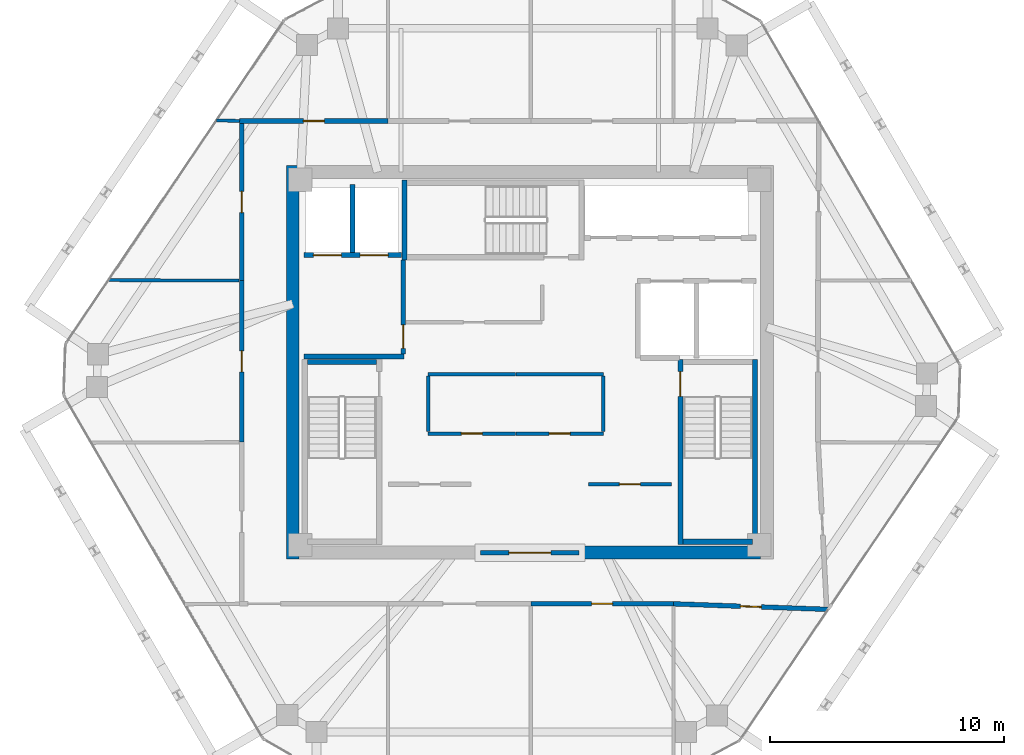
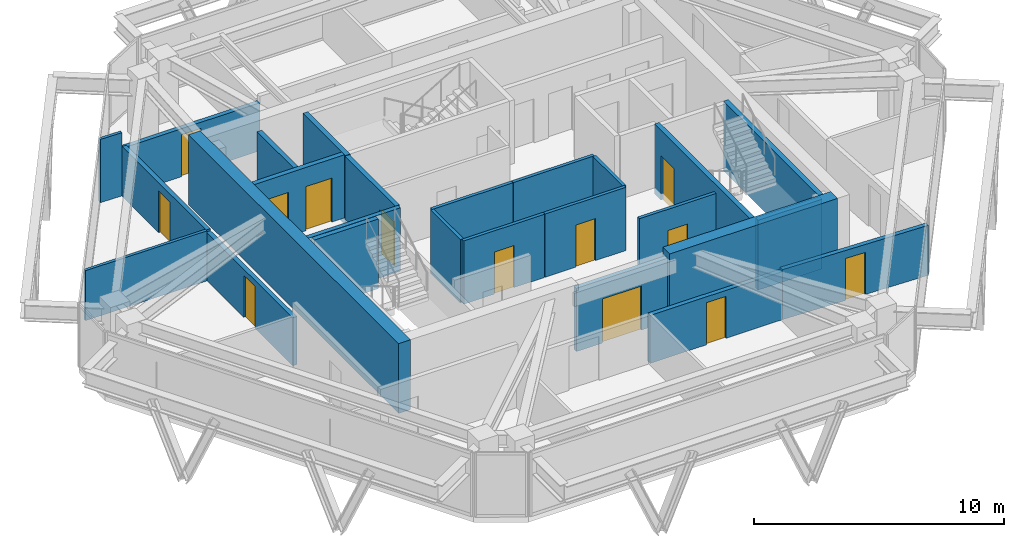
# One storey, part 8 of 11: 26 walls, 13 doors, 13 openings.
"""IFC4 building model written with IfcOpenShell, lengths in metres."""

import ifcopenshell
import ifcopenshell.guid

model = None  # the IFC model being written
_history = None  # IfcOwnerHistory: only IFC2X3 demands one
_inside = {}  # id of a spatial element -> (the spatial element, [elements in it])
_under = {}  # id of a project, library or spatial element -> (it, [spatial elements below it])
_declared = {}  # id of a project -> (the project, [libraries it declares])
_typed = {}  # id of a type object -> (the type object, [elements of that type])
_made_of = {}  # id of a material, layer set ... -> (it, [elements and type objects made of it])


def new_model(schema):
    """Start an empty IFC model of exactly this schema.

    Asked for "IFC4X3", IfcOpenShell would pick the latest addendum, in which some entities
    have other attributes; the version numbers below select the first issue.
    IFC2X3 requires an IfcOwnerHistory on every rooted entity: one is made here for all.
    """
    global model, _history
    if schema == "IFC4X3":
        model = ifcopenshell.file(schema_version=(4, 3, 0, 0))
    else:
        model = ifcopenshell.file(schema=schema)
    _inside.clear()
    _under.clear()
    _declared.clear()
    _typed.clear()
    _made_of.clear()
    _history = None
    if model.schema == "IFC2X3":
        org = make("IfcOrganization", Name="unknown")
        user = make(
            "IfcPersonAndOrganization",
            ThePerson=make("IfcPerson", FamilyName="unknown"),
            TheOrganization=org,
        )
        app = make(
            "IfcApplication",
            ApplicationDeveloper=org,
            Version="unknown",
            ApplicationFullName="unknown",
            ApplicationIdentifier="unknown",
        )
        _history = make(
            "IfcOwnerHistory",
            OwningUser=user,
            OwningApplication=app,
            ChangeAction="ADDED",
            CreationDate=0,
        )
    return model


def make(cls, **values):
    """One entity of the class cls with the attributes given. An attribute that is None is left unset."""
    return model.create_entity(
        cls, **{name: value for name, value in values.items() if value is not None}
    )


def rooted(cls, **values):
    """An entity with a GlobalId (a new one), such as an element, a storey or a relation."""
    return make(cls, GlobalId=ifcopenshell.guid.new(), OwnerHistory=_history, **values)


def si_unit(unit_type, name, prefix=None):
    """IfcSIUnit, for example si_unit("LENGTHUNIT", "METRE", prefix="MILLI")."""
    return make("IfcSIUnit", UnitType=unit_type, Prefix=prefix, Name=name)


def assignment(units):
    """IfcUnitAssignment: the units of a project."""
    return None if units is None else make("IfcUnitAssignment", Units=units)


def point(xyz):
    """IfcCartesianPoint."""
    return None if xyz is None else make("IfcCartesianPoint", Coordinates=xyz)


def direction(xyz):
    """IfcDirection."""
    return None if xyz is None else make("IfcDirection", DirectionRatios=xyz)


def frame(location, z_axis=None, x_axis=None):
    """IfcAxis2Placement3D, a coordinate frame: its origin and axes. An axis left out is left unset."""
    return make(
        "IfcAxis2Placement3D",
        Location=point(location),
        Axis=direction(z_axis),
        RefDirection=direction(x_axis),
    )


def frame_2d(location, x_axis=None):
    """IfcAxis2Placement2D, a coordinate frame in the plane: its origin and x axis."""
    return make(
        "IfcAxis2Placement2D", Location=point(location), RefDirection=direction(x_axis)
    )


def origin():
    """The frame at (0, 0, 0) with its axes left unset."""
    return frame((0.0, 0.0, 0.0))


def place(relative_to, where):
    """IfcLocalPlacement: puts the frame where relative to a parent placement (None: the world)."""
    return make(
        "IfcLocalPlacement", PlacementRelTo=relative_to, RelativePlacement=where
    )


def context(
    kind, dimensions, precision=None, world=None, true_north=None, identifier=None
):
    """IfcGeometricRepresentationContext, for example the 3D "Model" context."""
    return make(
        "IfcGeometricRepresentationContext",
        ContextIdentifier=identifier,
        ContextType=kind,
        CoordinateSpaceDimension=dimensions,
        Precision=precision,
        WorldCoordinateSystem=world,
        TrueNorth=true_north,
    )


def subcontext(parent, identifier, kind, view, scale=None):
    """IfcGeometricRepresentationSubContext, for example "Body" below "Model"."""
    return make(
        "IfcGeometricRepresentationSubContext",
        ContextIdentifier=identifier,
        ContextType=kind,
        ParentContext=parent,
        TargetScale=scale,
        TargetView=view,
    )


def project(units=None, contexts=None):
    """IfcProject with its units and contexts."""
    return rooted(
        "IfcProject",
        Name="project",
        RepresentationContexts=contexts,
        UnitsInContext=assignment(units),
    )


def spatial(cls, under=None, at=None, **own):
    """A site, building, storey or space (cls), placed at a placement, below another one or the project."""
    s = rooted(cls, ObjectPlacement=at, **own)
    if under is not None:
        _under.setdefault(under.id(), (under, []))[1].append(s)
    return s


def profile(cls, at=None, kind="AREA", **sizes):
    """A parametric profile (cls). Its sizes go by their IFC names, for example OverallWidth=200.0."""
    return make(cls, ProfileType=kind, Position=at, **sizes)


def rectangle(**sizes):
    """IfcRectangleProfileDef."""
    return profile("IfcRectangleProfileDef", **sizes)


def extrude(swept, where, along, depth):
    """IfcExtrudedAreaSolid: the profile swept, set in the frame where, extruded along a direction by depth."""
    return make(
        "IfcExtrudedAreaSolid",
        SweptArea=swept,
        Position=where,
        ExtrudedDirection=direction(along),
        Depth=depth,
    )


def shape(context_of_items, identifier, shape_type, items):
    """IfcShapeRepresentation: the items that make up one representation, for example the "Body"."""
    return make(
        "IfcShapeRepresentation",
        ContextOfItems=context_of_items,
        RepresentationIdentifier=identifier,
        RepresentationType=shape_type,
        Items=items,
    )


def source(mapping_origin, context_of_items, identifier, shape_type, items):
    """IfcRepresentationMap: a shape defined once, which mapped items show again and again."""
    return make(
        "IfcRepresentationMap",
        MappingOrigin=mapping_origin,
        MappedRepresentation=shape(context_of_items, identifier, shape_type, items),
    )


def transform(
    local_origin,
    x_axis=None,
    y_axis=None,
    z_axis=None,
    scale=None,
    scale2=None,
    scale3=None,
    uniform=True,
):
    """IfcCartesianTransformationOperator3D, or its non-uniform kind. x_axis, y_axis, z_axis: its Axis1, 2, 3."""
    if uniform:
        return make(
            "IfcCartesianTransformationOperator3D",
            Axis1=direction(x_axis),
            Axis2=direction(y_axis),
            LocalOrigin=point(local_origin),
            Scale=scale,
            Axis3=direction(z_axis),
        )
    return make(
        "IfcCartesianTransformationOperator3DnonUniform",
        Axis1=direction(x_axis),
        Axis2=direction(y_axis),
        LocalOrigin=point(local_origin),
        Scale=scale,
        Axis3=direction(z_axis),
        Scale2=scale2,
        Scale3=scale3,
    )


def mapped(mapping_source, mapping_target):
    """IfcMappedItem: shows the shape of a source again, moved by a transform."""
    return make(
        "IfcMappedItem", MappingSource=mapping_source, MappingTarget=mapping_target
    )


def material(Name=None, Category=None):
    """IfcMaterial."""
    return make("IfcMaterial", Name=Name, Category=Category)


def layer(
    of_material, thickness, ventilated=None, Name=None, Category=None, Priority=None
):
    """IfcMaterialLayer: one layer of a wall or slab, of a material (None: an air gap)."""
    return make(
        "IfcMaterialLayer",
        Material=of_material,
        LayerThickness=thickness,
        IsVentilated=ventilated,
        Name=Name,
        Category=Category,
        Priority=Priority,
    )


def layer_set(layers, Name=None):
    """IfcMaterialLayerSet."""
    return make("IfcMaterialLayerSet", MaterialLayers=layers, LayerSetName=Name)


def made_of(thing, what):
    """Note that an element or type object is made of a material, layer set ...; save() writes the relation."""
    if what is not None:
        _made_of.setdefault(what.id(), (what, []))[1].append(thing)
    return thing


def type_object(cls, material=None, **own):
    """A type object (cls), such as IfcWallType, which elements share."""
    return made_of(rooted(cls, **own), material)


def type_shapes(of_type, sources):
    """Give a type object the sources (RepresentationMaps) that its elements show as mapped items."""
    of_type.RepresentationMaps = sources


def element(
    cls,
    number,
    at=None,
    inside=None,
    cuts=None,
    type_object=None,
    material=None,
    context=None,
    identifier="Body",
    shape_type=None,
    held_by="IfcProductDefinitionShape",
    body=None,
    shapes=None,
    **own,
):
    """One element of the class cls, such as IfcWall. Its Tag is "e" and its number.

    at: its placement. inside: the storey or other place that contains it. cuts: it is an
    opening in that element (IfcRelVoidsElement). A single representation is given by context,
    identifier, shape_type and body (its items); several are given by shapes. held_by: the class
    of the entity that holds the representations. save() writes the other relations.
    """
    e = rooted(cls, Tag="e%d" % number, ObjectPlacement=at, **own)
    if body is not None:
        shapes = [shape(context, identifier, shape_type, body)]
    if shapes is not None:
        e.Representation = make(held_by, Representations=shapes)
    if inside is not None:
        _inside.setdefault(inside.id(), (inside, []))[1].append(e)
    if cuts is not None:
        rooted(
            "IfcRelVoidsElement", RelatingBuildingElement=cuts, RelatedOpeningElement=e
        )
    if type_object is not None:
        _typed.setdefault(type_object.id(), (type_object, []))[1].append(e)
    return made_of(e, material)


def fill(opening, filler):
    """IfcRelFillsElement: the door or window that sits in an opening."""
    return rooted(
        "IfcRelFillsElement",
        RelatingOpeningElement=opening,
        RelatedBuildingElement=filler,
    )


def aggregate(whole, parts):
    """IfcRelAggregates: a whole, such as a stair, and the parts it consists of."""
    return rooted("IfcRelAggregates", RelatingObject=whole, RelatedObjects=parts)


def save(model, path):
    """Write the relations noted so far, then the file.

    IfcRelAggregates (storeys below a building ...), IfcRelContainedInSpatialStructure (elements
    in a storey), IfcRelDefinesByType, IfcRelAssociatesMaterial and IfcRelDeclares: one each for
    every whole, place, type object, material and project.
    """
    for whole, parts in _under.values():
        aggregate(whole, parts)
    for where, things in _inside.values():
        rooted(
            "IfcRelContainedInSpatialStructure",
            RelatedElements=things,
            RelatingStructure=where,
        )
    for kind, things in _typed.values():
        rooted("IfcRelDefinesByType", RelatedObjects=things, RelatingType=kind)
    for what, things in _made_of.values():
        rooted("IfcRelAssociatesMaterial", RelatedObjects=things, RelatingMaterial=what)
    for by, libraries in _declared.values():
        rooted("IfcRelDeclares", RelatingContext=by, RelatedDefinitions=libraries)
    model.write(path)


model = new_model("IFC4")

# Units and contexts
model_context = context("Model", 3, precision=1e-05, world=origin(), true_north=direction((0.0, 1.0)))
body_context = subcontext(model_context, "Body", "Model", "MODEL_VIEW")
ifc_project = project(units=[si_unit("LENGTHUNIT", "METRE"), si_unit("AREAUNIT", "SQUARE_METRE"), si_unit("VOLUMEUNIT", "CUBIC_METRE"), si_unit("PLANEANGLEUNIT", "RADIAN"), si_unit("MASSUNIT", "GRAM", prefix="KILO")], contexts=[model_context])

# Site, building, storey
site_placement = place(None, origin())
site = spatial("IfcSite", under=ifc_project, at=site_placement, CompositionType="ELEMENT")
building_placement = place(site_placement, origin())
building = spatial("IfcBuilding", under=site, at=building_placement, Name="Durnholm Broadcast Tower", CompositionType="ELEMENT")
storey_placement = place(building_placement, frame((0.0, 0.0, 264.89990234375)))
storey = spatial("IfcBuildingStorey", under=building, at=storey_placement, Name="L74", CompositionType="ELEMENT", Elevation=264.89990234375)

# Walls
ifc_material_1 = material(Name="Concrete C70/85", Category="concrete")
ifc_layer_1 = layer(ifc_material_1, 0.550048828125)
ifc_layer_set_1 = layer_set([ifc_layer_1], Name="Concrete C70/85")
wall_type_1 = type_object("IfcWallType", Name="WALL-CW-550", PredefinedType="SHEAR", material=ifc_layer_set_1)
wall_1_placement = place(storey_placement, frame((-10.125, -8.39990234375, 0.0), z_axis=(0.0, 0.0, 1.0), x_axis=(0.0, 1.0, 0.0)))
element("IfcWall", 1, at=wall_1_placement, inside=storey, type_object=wall_type_1, Name="L74 central core shear wall CW-WEST", PredefinedType="SHEAR", context=body_context, shape_type="SweptSolid", body=[
    extrude(rectangle(XDim=16.7998046875, YDim=0.550048828125, at=frame_2d((8.39990234375, 0.0))), origin(), (0.0, 0.0, 1.0), 3.400146484375),
])
wall_2_placement = place(storey_placement, frame((2.10009765625, -8.125, 0.0), z_axis=(0.0, 0.0, 1.0), x_axis=(1.0, 0.0, 0.0)))
element("IfcWall", 2, at=wall_2_placement, inside=storey, type_object=wall_type_1, Name="L74 central core shear wall CW-S2", PredefinedType="SHEAR", context=body_context, shape_type="SweptSolid", body=[
    extrude(rectangle(XDim=7.75, YDim=0.550048828125, at=frame_2d((3.875, 0.0))), origin(), (0.0, 0.0, 1.0), 3.400146484375),
])

# Wall, opening, door
ifc_material_2 = material(Name="Fire-Rated Gypsum Shaftwall", Category="concrete")
ifc_layer_2 = layer(ifc_material_2, 0.199951171875)
ifc_layer_set_2 = layer_set([ifc_layer_2], Name="Fire-Rated Gypsum Shaftwall")
wall_type_2 = type_object("IfcWallType", Name="WALL-LOB-200", PredefinedType="SOLIDWALL", material=ifc_layer_set_2)
wall_3_placement = place(storey_placement, frame((-2.10009765625, -8.125, 0.0), z_axis=(0.0, 0.0, 1.0), x_axis=(1.0, 0.0, 0.0)))
wall_3 = element("IfcWall", 3, at=wall_3_placement, inside=storey, type_object=wall_type_2, Name="L74 south core lobby fire screen", PredefinedType="SOLIDWALL", context=body_context, shape_type="SweptSolid", body=[
    extrude(rectangle(XDim=4.2001953125, YDim=0.199951171875, at=frame_2d((2.10009765625, 0.0))), origin(), (0.0, 0.0, 1.0), 3.085205078125),
])
opening_1_placement = place(wall_3_placement, frame((1.199951171875, 0.0, 0.0)))
opening_1 = element("IfcOpeningElement", 4, at=opening_1_placement, cuts=wall_3, Name="Opening DP-60", PredefinedType="OPENING", context=body_context, shape_type="SweptSolid", body=[
    extrude(rectangle(XDim=1.800048828125, YDim=2.14990234375, at=frame_2d((0.89990234375, 1.074951171875))), frame((0.0, 0.10986328125, 0.0), z_axis=(0.0, -1.0, 0.0), x_axis=(1.0, 0.0, 0.0)), (0.0, 0.0, 1.0), 0.219970703125),
])
ifc_material_3 = material(Name="Fire-Rated Double Corridor Door", Category="steel")
ifc_layer_3 = layer(ifc_material_3, 0.050048828125)
ifc_layer_set_3 = layer_set([ifc_layer_3], Name="Fire-Rated Double Corridor Door")
door_type_1 = type_object("IfcDoorType", Name="DOOR-PAIR-FD60", OperationType="DOUBLE_DOOR_SINGLE_SWING", PredefinedType="DOOR", material=ifc_layer_set_3)
shared_shape_1 = source(origin(), body_context, "Body", "SweptSolid", [
    extrude(rectangle(XDim=1.800048828125, YDim=2.14990234375, at=frame_2d((0.89990234375, 1.074951171875))), frame((0.0, 0.02490234375, 0.0), z_axis=(0.0, -1.0, 0.0), x_axis=(1.0, 0.0, 0.0)), (0.0, 0.0, 1.0), 0.050048828125),
])
type_shapes(door_type_1, [shared_shape_1])
door_1_placement = place(opening_1_placement, origin())
door_1 = element("IfcDoor", 5, at=door_1_placement, inside=storey, type_object=door_type_1, Name="L74 south core lobby double fire door", OperationType="DOUBLE_DOOR_SINGLE_SWING", OverallHeight=2.14990234375, OverallWidth=1.800048828125, PredefinedType="DOOR", context=body_context, shape_type="MappedRepresentation", body=[
    mapped(shared_shape_1, transform((0.0, 0.0, 0.0), x_axis=(1.0, 0.0, 0.0), y_axis=(0.0, 1.0, 0.0), z_axis=(0.0, 0.0, 1.0), scale=1.0)),
])
fill(opening_1, door_1)

# Wall
wall_4_placement = place(storey_placement, frame((-9.64990234375, 0.25, 0.0), z_axis=(0.0, 0.0, 1.0), x_axis=(1.0, 0.0, 0.0)))
element("IfcWall", 6, at=wall_4_placement, inside=storey, type_object=wall_type_2, Name="L74 Fire Service Access Elevator lobby south wall", PredefinedType="SOLIDWALL", context=body_context, shape_type="SweptSolid", body=[
    extrude(rectangle(XDim=4.27001953125, YDim=0.199951171875, at=frame_2d((2.135009765625, 0.0))), origin(), (0.0, 0.0, 1.0), 3.085205078125),
])

# Wall, opening, door
wall_5_placement = place(storey_placement, frame((-5.39990234375, 0.35400390625, 0.0), z_axis=(0.0, 0.0, 1.0), x_axis=(0.0, 1.0, 0.0)))
wall_5 = element("IfcWall", 7, at=wall_5_placement, inside=storey, type_object=wall_type_2, Name="L74 Fire Service Access Elevator lobby east fire wall", PredefinedType="SOLIDWALL", context=body_context, shape_type="SweptSolid", body=[
    extrude(rectangle(XDim=4.02587890625, YDim=0.199951171875, at=frame_2d((2.012939453125, 0.0))), origin(), (0.0, 0.0, 1.0), 3.085205078125),
])
opening_2_placement = place(wall_5_placement, frame((0.24609375, 0.0, 0.0)))
opening_2 = element("IfcOpeningElement", 8, at=opening_2_placement, cuts=wall_5, Name="Opening DL-60L", PredefinedType="OPENING", context=body_context, shape_type="SweptSolid", body=[
    extrude(rectangle(XDim=1.0, YDim=2.14990234375, at=frame_2d((0.5, 1.074951171875))), frame((0.0, 0.10986328125, 0.0), z_axis=(0.0, -1.0, 0.0), x_axis=(1.0, 0.0, 0.0)), (0.0, 0.0, 1.0), 0.219970703125),
])
ifc_material_4 = material(Name="Fire-Rated Timber/Steel Door", Category="steel")
ifc_layer_4 = layer(ifc_material_4, 0.050048828125)
ifc_layer_set_4 = layer_set([ifc_layer_4], Name="Fire-Rated Timber/Steel Door")
door_type_2 = type_object("IfcDoorType", Name="DOOR-LOB-FD60-L", OperationType="NOTDEFINED", PredefinedType="DOOR", material=ifc_layer_set_4)
shared_shape_2 = source(origin(), body_context, "Body", "SweptSolid", [
    extrude(rectangle(XDim=1.0, YDim=2.14990234375, at=frame_2d((0.5, 1.074951171875))), frame((0.0, 0.02490234375, 0.0), z_axis=(0.0, -1.0, 0.0), x_axis=(1.0, 0.0, 0.0)), (0.0, 0.0, 1.0), 0.050048828125),
])
type_shapes(door_type_2, [shared_shape_2])
door_2_placement = place(opening_2_placement, origin())
door_2 = element("IfcDoor", 9, at=door_2_placement, inside=storey, type_object=door_type_2, Name="L74 Fire Service Access Elevator lobby smoke door", OperationType="SINGLE_SWING_LEFT", OverallHeight=2.14990234375, OverallWidth=1.0, PredefinedType="DOOR", context=body_context, shape_type="MappedRepresentation", body=[
    mapped(shared_shape_2, transform((0.0, 0.0, 0.0), x_axis=(1.0, 0.0, 0.0), y_axis=(0.0, 1.0, 0.0), z_axis=(0.0, 0.0, 1.0), scale=1.0)),
])
fill(opening_2, door_2)

wall_6_placement = place(storey_placement, frame((-6.06005859375, 10.31005859375, 0.0), z_axis=(0.0, 0.0, 1.0), x_axis=(-1.0, 0.0, 0.0)))
wall_6 = element("IfcWall", 10, at=wall_6_placement, inside=storey, type_object=wall_type_2, Name="L74 Mechanical Plant Room - Chilled Water Heat Exchanger corridor partition", PredefinedType="SOLIDWALL", context=body_context, shape_type="SweptSolid", body=[
    extrude(rectangle(XDim=6.329833984375, YDim=0.199951171875, at=frame_2d((3.1650390625, 0.0))), origin(), (0.0, 0.0, 1.0), 2.341552734375),
])
opening_3_placement = place(wall_6_placement, frame((2.715087890625, 0.0, 0.0)))
opening_3 = element("IfcOpeningElement", 11, at=opening_3_placement, cuts=wall_6, Name="Opening DC-60L", PredefinedType="OPENING", context=body_context, shape_type="SweptSolid", body=[
    extrude(rectangle(XDim=0.89990234375, YDim=2.050048828125, at=frame_2d((0.449951171875, 1.02490234375))), frame((0.0, 0.10986328125, 0.0), z_axis=(0.0, -1.0, 0.0), x_axis=(1.0, 0.0, 0.0)), (0.0, 0.0, 1.0), 0.219970703125),
])
ifc_material_5 = material(Name="Fire-Rated Core Service Door", Category="steel")
ifc_layer_5 = layer(ifc_material_5, 0.050048828125)
ifc_layer_set_5 = layer_set([ifc_layer_5], Name="Fire-Rated Core Service Door")
door_type_3 = type_object("IfcDoorType", Name="DOOR-CORE-FD60-L", OperationType="NOTDEFINED", PredefinedType="DOOR", material=ifc_layer_set_5)
shared_shape_3 = source(origin(), body_context, "Body", "SweptSolid", [
    extrude(rectangle(XDim=0.89990234375, YDim=2.050048828125, at=frame_2d((0.449951171875, 1.02490234375))), frame((0.0, 0.02490234375, 0.0), z_axis=(0.0, -1.0, 0.0), x_axis=(1.0, 0.0, 0.0)), (0.0, 0.0, 1.0), 0.050048828125),
])
type_shapes(door_type_3, [shared_shape_3])
door_3_placement = place(opening_3_placement, origin())
door_3 = element("IfcDoor", 12, at=door_3_placement, inside=storey, type_object=door_type_3, Name="L74 Mechanical Plant Room - Chilled Water Heat Exchanger entrance door", OperationType="SINGLE_SWING_LEFT", OverallHeight=2.050048828125, OverallWidth=0.89990234375, PredefinedType="DOOR", context=body_context, shape_type="MappedRepresentation", body=[
    mapped(shared_shape_3, transform((0.0, 0.0, 0.0), x_axis=(1.0, 0.0, 0.0), y_axis=(0.0, 1.0, 0.0), z_axis=(0.0, 0.0, 1.0), scale=1.0)),
])
fill(opening_3, door_3)

wall_7_placement = place(storey_placement, frame((0.0400390625, -10.31005859375, 0.0), z_axis=(0.0, 0.0, 1.0), x_axis=(1.0, 0.0, 0.0)))
wall_7 = element("IfcWall", 13, at=wall_7_placement, inside=storey, type_object=wall_type_2, Name="L74 Mechanical Plant Room - Domestic Water Booster Tank corridor partition", PredefinedType="SOLIDWALL", context=body_context, shape_type="SweptSolid", body=[
    extrude(rectangle(XDim=6.099853515625, YDim=0.199951171875, at=frame_2d((3.0498046875, 0.0))), origin(), (0.0, 0.0, 1.0), 2.341552734375),
])
opening_4_placement = place(wall_7_placement, frame((2.60009765625, 0.0, 0.0)))
opening_4 = element("IfcOpeningElement", 14, at=opening_4_placement, cuts=wall_7, Name="Opening DC-60L", PredefinedType="OPENING", context=body_context, shape_type="SweptSolid", body=[
    extrude(rectangle(XDim=0.89990234375, YDim=2.050048828125, at=frame_2d((0.449951171875, 1.02490234375))), frame((0.0, 0.10986328125, 0.0), z_axis=(0.0, -1.0, 0.0), x_axis=(1.0, 0.0, 0.0)), (0.0, 0.0, 1.0), 0.219970703125),
])
door_4_placement = place(opening_4_placement, origin())
door_4 = element("IfcDoor", 15, at=door_4_placement, inside=storey, type_object=door_type_3, Name="L74 Mechanical Plant Room - Domestic Water Booster Tank entrance door", OperationType="SINGLE_SWING_LEFT", OverallHeight=2.050048828125, OverallWidth=0.89990234375, PredefinedType="DOOR", context=body_context, shape_type="MappedRepresentation", body=[
    mapped(shared_shape_3, transform((0.0, 0.0, 0.0), x_axis=(1.0, 0.0, 0.0), y_axis=(0.0, 1.0, 0.0), z_axis=(0.0, 0.0, 1.0), scale=1.0)),
])
fill(opening_4, door_4)

wall_8_placement = place(storey_placement, frame((6.139892578125, -10.31298828125, 0.0), z_axis=(0.0, 0.0, 1.0), x_axis=(0.999359083983, -0.035796944861, 0.0)))
wall_8 = element("IfcWall", 16, at=wall_8_placement, inside=storey, type_object=wall_type_2, Name="L74 Mechanical Plant Room - Fire Protection Pump Plant corridor partition", PredefinedType="SOLIDWALL", context=body_context, shape_type="SweptSolid", body=[
    extrude(rectangle(XDim=6.608642578125, YDim=0.199951171875, at=frame_2d((3.30419921875, 0.0))), origin(), (0.0, 0.0, 1.0), 2.43896484375),
])
opening_5_placement = place(wall_8_placement, frame((2.854248046875, 0.0, 0.0)))
opening_5 = element("IfcOpeningElement", 17, at=opening_5_placement, cuts=wall_8, Name="Opening DC-60R", PredefinedType="OPENING", context=body_context, shape_type="SweptSolid", body=[
    extrude(rectangle(XDim=0.89990234375, YDim=2.050048828125, at=frame_2d((0.449951171875, 1.02490234375))), frame((0.0, 0.10986328125, 0.0), z_axis=(0.0, -1.0, 0.0), x_axis=(1.0, 0.0, 0.0)), (0.0, 0.0, 1.0), 0.219970703125),
])
ifc_layer_6 = layer(ifc_material_5, 0.050048828125)
ifc_layer_set_6 = layer_set([ifc_layer_6], Name="Fire-Rated Core Service Door")
door_type_4 = type_object("IfcDoorType", Name="DOOR-CORE-FD60-R", OperationType="NOTDEFINED", PredefinedType="DOOR", material=ifc_layer_set_6)
shared_shape_4 = source(origin(), body_context, "Body", "SweptSolid", [
    extrude(rectangle(XDim=0.89990234375, YDim=2.050048828125, at=frame_2d((0.449951171875, 1.02490234375))), frame((0.0, 0.02490234375, 0.0), z_axis=(0.0, -1.0, 0.0), x_axis=(1.0, 0.0, 0.0)), (0.0, 0.0, 1.0), 0.050048828125),
])
type_shapes(door_type_4, [shared_shape_4])
door_5_placement = place(opening_5_placement, origin())
door_5 = element("IfcDoor", 18, at=door_5_placement, inside=storey, type_object=door_type_4, Name="L74 Mechanical Plant Room - Fire Protection Pump Plant entrance door", OperationType="SINGLE_SWING_RIGHT", OverallHeight=2.050048828125, OverallWidth=0.89990234375, PredefinedType="DOOR", context=body_context, shape_type="MappedRepresentation", body=[
    mapped(shared_shape_4, transform((0.0, 0.0, 0.0), x_axis=(1.0, 0.0, 0.0), y_axis=(0.0, 1.0, 0.0), z_axis=(0.0, 0.0, 1.0), scale=1.0)),
])
fill(opening_5, door_5)

wall_9_placement = place(storey_placement, frame((-12.31005859375, 3.489990234375, 0.0), z_axis=(0.0, 0.0, 1.0), x_axis=(0.0, -1.0, 0.0)))
wall_9 = element("IfcWall", 19, at=wall_9_placement, inside=storey, type_object=wall_type_2, Name="L74 Mechanical Plant Room - Stairwell Pressurization Fan corridor partition", PredefinedType="SOLIDWALL", context=body_context, shape_type="SweptSolid", body=[
    extrude(rectangle(XDim=6.89990234375, YDim=0.199951171875, at=frame_2d((3.449951171875, 0.0))), origin(), (0.0, 0.0, 1.0), 2.341552734375),
])
opening_6_placement = place(wall_9_placement, frame((3.0, 0.0, 0.0)))
opening_6 = element("IfcOpeningElement", 20, at=opening_6_placement, cuts=wall_9, Name="Opening DC-60L", PredefinedType="OPENING", context=body_context, shape_type="SweptSolid", body=[
    extrude(rectangle(XDim=0.89990234375, YDim=2.050048828125, at=frame_2d((0.449951171875, 1.02490234375))), frame((0.0, 0.10986328125, 0.0), z_axis=(0.0, -1.0, 0.0), x_axis=(1.0, 0.0, 0.0)), (0.0, 0.0, 1.0), 0.219970703125),
])
door_6_placement = place(opening_6_placement, origin())
door_6 = element("IfcDoor", 21, at=door_6_placement, inside=storey, type_object=door_type_3, Name="L74 Mechanical Plant Room - Stairwell Pressurization Fan entrance door", OperationType="SINGLE_SWING_LEFT", OverallHeight=2.050048828125, OverallWidth=0.89990234375, PredefinedType="DOOR", context=body_context, shape_type="MappedRepresentation", body=[
    mapped(shared_shape_3, transform((0.0, 0.0, 0.0), x_axis=(1.0, 0.0, 0.0), y_axis=(0.0, 1.0, 0.0), z_axis=(0.0, 0.0, 1.0), scale=1.0)),
])
fill(opening_6, door_6)

wall_10_placement = place(storey_placement, frame((-12.31005859375, 10.2060546875, 0.0), z_axis=(0.0, 0.0, 1.0), x_axis=(0.0, -1.0, 0.0)))
wall_10 = element("IfcWall", 22, at=wall_10_placement, inside=storey, type_object=wall_type_2, Name="L74 Mechanical Plant Room - Telecom Cooling Distribution corridor partition", PredefinedType="SOLIDWALL", context=body_context, shape_type="SweptSolid", body=[
    extrude(rectangle(XDim=6.716064453125, YDim=0.199951171875, at=frame_2d((3.35791015625, 0.0))), origin(), (0.0, 0.0, 1.0), 2.43896484375),
])
opening_7_placement = place(wall_10_placement, frame((2.907958984375, 0.0, 0.0)))
opening_7 = element("IfcOpeningElement", 23, at=opening_7_placement, cuts=wall_10, Name="Opening DC-60R", PredefinedType="OPENING", context=body_context, shape_type="SweptSolid", body=[
    extrude(rectangle(XDim=0.89990234375, YDim=2.050048828125, at=frame_2d((0.449951171875, 1.02490234375))), frame((0.0, 0.10986328125, 0.0), z_axis=(0.0, -1.0, 0.0), x_axis=(1.0, 0.0, 0.0)), (0.0, 0.0, 1.0), 0.219970703125),
])
door_7_placement = place(opening_7_placement, origin())
door_7 = element("IfcDoor", 24, at=door_7_placement, inside=storey, type_object=door_type_4, Name="L74 Mechanical Plant Room - Telecom Cooling Distribution entrance door", OperationType="SINGLE_SWING_RIGHT", OverallHeight=2.050048828125, OverallWidth=0.89990234375, PredefinedType="DOOR", context=body_context, shape_type="MappedRepresentation", body=[
    mapped(shared_shape_4, transform((0.0, 0.0, 0.0), x_axis=(1.0, 0.0, 0.0), y_axis=(0.0, 1.0, 0.0), z_axis=(0.0, 0.0, 1.0), scale=1.0)),
])
fill(opening_7, door_7)

# Walls
ifc_material_6 = material(Name="Gypsum Metal Stud Partition", Category="concrete")
ifc_layer_7 = layer(ifc_material_6, 0.135009765625)
ifc_layer_set_7 = layer_set([ifc_layer_7], Name="Gypsum Metal Stud Partition")
wall_type_3 = type_object("IfcWallType", Name="WALL-PART-135", PredefinedType="PARTITIONING", material=ifc_layer_set_7)
wall_11_placement = place(storey_placement, frame((-12.389892578125, 10.311767578125, 0.0), z_axis=(0.0, 0.0, 1.0), x_axis=(-0.999782630862, 0.020849245246, 0.0)))
element("IfcWall", 25, at=wall_11_placement, inside=storey, type_object=wall_type_3, Name="L74 room dividing partition 6.19", PredefinedType="PARTITIONING", context=body_context, shape_type="SweptSolid", body=[
    extrude(rectangle(XDim=0.995361328125, YDim=0.135009765625, at=frame_2d((0.49755859375, 0.0))), origin(), (0.0, 0.0, 1.0), 3.085205078125),
])
wall_12_placement = place(storey_placement, frame((-17.99560546875, 3.512451171875, 0.0), z_axis=(0.0, 0.0, 1.0), x_axis=(0.99999225143, -0.003936632956, 0.0)))
element("IfcWall", 26, at=wall_12_placement, inside=storey, type_object=wall_type_3, Name="L74 room dividing partition 18.19", PredefinedType="PARTITIONING", context=body_context, shape_type="SweptSolid", body=[
    extrude(rectangle(XDim=5.58154296875, YDim=0.135009765625, at=frame_2d((2.790771484375, 0.0))), origin(), (0.0, 0.0, 1.0), 2.43896484375),
])

# Wall, opening, door
ifc_material_7 = material(Name="Acoustic Gypsum Stud Partition", Category="concrete")
ifc_layer_8 = layer(ifc_material_7, 0.14990234375)
ifc_layer_set_8 = layer_set([ifc_layer_8], Name="Acoustic Gypsum Stud Partition")
wall_type_4 = type_object("IfcWallType", Name="WALL-PART-150", PredefinedType="PARTITIONING", material=ifc_layer_set_8)
wall_13_placement = place(storey_placement, frame((2.510009765625, -5.2099609375, 0.0), z_axis=(0.0, 0.0, 1.0), x_axis=(1.0, 0.0, 0.0)))
wall_13 = element("IfcWall", 27, at=wall_13_placement, inside=storey, type_object=wall_type_4, Name="L74 Editorial Beverage Pantry corridor partition", PredefinedType="PARTITIONING", context=body_context, shape_type="SweptSolid", body=[
    extrude(rectangle(XDim=3.530029296875, YDim=0.14990234375, at=frame_2d((1.76513671875, 0.0))), origin(), (0.0, 0.0, 1.0), 3.085205078125),
])
opening_8_placement = place(wall_13_placement, frame((1.31494140625, 0.0, 0.0)))
opening_8 = element("IfcOpeningElement", 28, at=opening_8_placement, cuts=wall_13, Name="Opening DC-60L", PredefinedType="OPENING", context=body_context, shape_type="SweptSolid", body=[
    extrude(rectangle(XDim=0.89990234375, YDim=2.050048828125, at=frame_2d((0.449951171875, 1.02490234375))), frame((0.0, 0.0849609375, 0.0), z_axis=(0.0, -1.0, 0.0), x_axis=(1.0, 0.0, 0.0)), (0.0, 0.0, 1.0), 0.169921875),
])
door_8_placement = place(opening_8_placement, origin())
door_8 = element("IfcDoor", 29, at=door_8_placement, inside=storey, type_object=door_type_3, Name="L74 Editorial Beverage Pantry entrance door", OperationType="SINGLE_SWING_LEFT", OverallHeight=2.050048828125, OverallWidth=0.89990234375, PredefinedType="DOOR", context=body_context, shape_type="MappedRepresentation", body=[
    mapped(shared_shape_3, transform((0.0, 0.0, 0.0), x_axis=(1.0, 0.0, 0.0), y_axis=(0.0, 1.0, 0.0), z_axis=(0.0, 0.0, 1.0), scale=1.0)),
])
fill(opening_8, door_8)

wall_14_placement = place(storey_placement, frame((-0.610107421875, -3.0400390625, 0.0), z_axis=(0.0, 0.0, 1.0), x_axis=(-1.0, 0.0, 0.0)))
wall_14 = element("IfcWall", 30, at=wall_14_placement, inside=storey, type_object=wall_type_4, Name="L74 Digital Tape Archive Store corridor partition", PredefinedType="PARTITIONING", context=body_context, shape_type="SweptSolid", body=[
    extrude(rectangle(XDim=3.72998046875, YDim=0.14990234375, at=frame_2d((1.864990234375, 0.0))), origin(), (0.0, 0.0, 1.0), 3.085205078125),
])
opening_9_placement = place(wall_14_placement, frame((1.4150390625, 0.0, 0.0)))
opening_9 = element("IfcOpeningElement", 31, at=opening_9_placement, cuts=wall_14, Name="Opening DC-60R", PredefinedType="OPENING", context=body_context, shape_type="SweptSolid", body=[
    extrude(rectangle(XDim=0.89990234375, YDim=2.050048828125, at=frame_2d((0.449951171875, 1.02490234375))), frame((0.0, 0.0849609375, 0.0), z_axis=(0.0, -1.0, 0.0), x_axis=(1.0, 0.0, 0.0)), (0.0, 0.0, 1.0), 0.169921875),
])
door_9_placement = place(opening_9_placement, origin())
door_9 = element("IfcDoor", 32, at=door_9_placement, inside=storey, type_object=door_type_4, Name="L74 Digital Tape Archive Store entrance door", OperationType="SINGLE_SWING_RIGHT", OverallHeight=2.050048828125, OverallWidth=0.89990234375, PredefinedType="DOOR", context=body_context, shape_type="MappedRepresentation", body=[
    mapped(shared_shape_4, transform((0.0, 0.0, 0.0), x_axis=(1.0, 0.0, 0.0), y_axis=(0.0, 1.0, 0.0), z_axis=(0.0, 0.0, 1.0), scale=1.0)),
])
fill(opening_9, door_9)

# Walls
wall_15_placement = place(storey_placement, frame((-4.340087890625, -0.510009765625, 0.0), z_axis=(0.0, 0.0, 1.0), x_axis=(1.0, 0.0, 0.0)))
element("IfcWall", 33, at=wall_15_placement, inside=storey, type_object=wall_type_4, Name="L74 Digital Tape Archive Store corridor partition", PredefinedType="PARTITIONING", context=body_context, shape_type="SweptSolid", body=[
    extrude(rectangle(XDim=3.72998046875, YDim=0.14990234375, at=frame_2d((1.864990234375, 0.0))), origin(), (0.0, 0.0, 1.0), 3.085205078125),
])
wall_16_placement = place(storey_placement, frame((-4.340087890625, -2.9609375, 0.0), z_axis=(0.0, 0.0, 1.0), x_axis=(0.0, 1.0, 0.0)))
element("IfcWall", 34, at=wall_16_placement, inside=storey, type_object=wall_type_4, Name="L74 Digital Tape Archive Store corridor partition", PredefinedType="PARTITIONING", context=body_context, shape_type="SweptSolid", body=[
    extrude(rectangle(XDim=2.371826171875, YDim=0.14990234375, at=frame_2d((1.18603515625, 0.0))), origin(), (0.0, 0.0, 1.0), 3.085205078125),
])

# Wall, opening, door
wall_17_placement = place(storey_placement, frame((3.139892578125, -3.0400390625, 0.0), z_axis=(0.0, 0.0, 1.0), x_axis=(-1.0, 0.0, 0.0)))
wall_17 = element("IfcWall", 35, at=wall_17_placement, inside=storey, type_object=wall_type_4, Name="L74 High-Rise Refreshment Pantry corridor partition", PredefinedType="PARTITIONING", context=body_context, shape_type="SweptSolid", body=[
    extrude(rectangle(XDim=3.72998046875, YDim=0.14990234375, at=frame_2d((1.864990234375, 0.0))), origin(), (0.0, 0.0, 1.0), 3.085205078125),
])
opening_10_placement = place(wall_17_placement, frame((1.4150390625, 0.0, 0.0)))
opening_10 = element("IfcOpeningElement", 36, at=opening_10_placement, cuts=wall_17, Name="Opening DC-60L", PredefinedType="OPENING", context=body_context, shape_type="SweptSolid", body=[
    extrude(rectangle(XDim=0.89990234375, YDim=2.050048828125, at=frame_2d((0.449951171875, 1.02490234375))), frame((0.0, 0.0849609375, 0.0), z_axis=(0.0, -1.0, 0.0), x_axis=(1.0, 0.0, 0.0)), (0.0, 0.0, 1.0), 0.169921875),
])
door_10_placement = place(opening_10_placement, origin())
door_10 = element("IfcDoor", 37, at=door_10_placement, inside=storey, type_object=door_type_3, Name="L74 High-Rise Refreshment Pantry entrance door", OperationType="SINGLE_SWING_LEFT", OverallHeight=2.050048828125, OverallWidth=0.89990234375, PredefinedType="DOOR", context=body_context, shape_type="MappedRepresentation", body=[
    mapped(shared_shape_3, transform((0.0, 0.0, 0.0), x_axis=(1.0, 0.0, 0.0), y_axis=(0.0, 1.0, 0.0), z_axis=(0.0, 0.0, 1.0), scale=1.0)),
])
fill(opening_10, door_10)

# Walls
wall_18_placement = place(storey_placement, frame((-0.590087890625, -0.510009765625, 0.0), z_axis=(0.0, 0.0, 1.0), x_axis=(1.0, 0.0, 0.0)))
element("IfcWall", 38, at=wall_18_placement, inside=storey, type_object=wall_type_4, Name="L74 High-Rise Refreshment Pantry corridor partition", PredefinedType="PARTITIONING", context=body_context, shape_type="SweptSolid", body=[
    extrude(rectangle(XDim=3.72998046875, YDim=0.14990234375, at=frame_2d((1.864990234375, 0.0))), origin(), (0.0, 0.0, 1.0), 3.085205078125),
])
wall_19_placement = place(storey_placement, frame((3.139892578125, -0.589111328125, 0.0), z_axis=(0.0, 0.0, 1.0), x_axis=(0.0, -1.0, 0.0)))
element("IfcWall", 39, at=wall_19_placement, inside=storey, type_object=wall_type_4, Name="L74 High-Rise Refreshment Pantry corridor partition", PredefinedType="PARTITIONING", context=body_context, shape_type="SweptSolid", body=[
    extrude(rectangle(XDim=2.371826171875, YDim=0.14990234375, at=frame_2d((1.18603515625, 0.0))), origin(), (0.0, 0.0, 1.0), 3.085205078125),
])

# Wall, openings, doors
ifc_material_8 = material(Name="Concrete Blockwork C30/37", Category="masonry")
ifc_layer_9 = layer(ifc_material_8, 0.219970703125)
ifc_layer_set_9 = layer_set([ifc_layer_9], Name="Concrete Blockwork C30/37")
wall_type_5 = type_object("IfcWallType", Name="WALL-SHAFT-220", PredefinedType="SOLIDWALL", material=ifc_layer_set_9)
wall_20_placement = place(storey_placement, frame((-9.64990234375, 4.580078125, 0.0), z_axis=(0.0, 0.0, 1.0), x_axis=(1.0, 0.0, 0.0)))
wall_20 = element("IfcWall", 40, at=wall_20_placement, inside=storey, type_object=wall_type_5, Name="L74 FSAE hoistway front fire wall", PredefinedType="SOLIDWALL", context=body_context, shape_type="SweptSolid", body=[
    extrude(rectangle(XDim=4.1748046875, YDim=0.219970703125, at=frame_2d((2.08740234375, 0.0))), origin(), (0.0, 0.0, 1.0), 3.085205078125),
])
opening_11_placement = place(wall_20_placement, frame((0.39990234375, 0.0, 0.0)))
opening_11 = element("IfcOpeningElement", 41, at=opening_11_placement, cuts=wall_20, Name="Opening LD-FSAE-2", PredefinedType="OPENING", context=body_context, shape_type="SweptSolid", body=[
    extrude(rectangle(XDim=1.199951171875, YDim=2.14990234375, at=frame_2d((0.60009765625, 1.074951171875))), frame((0.0, 0.1201171875, 0.0), z_axis=(0.0, -1.0, 0.0), x_axis=(1.0, 0.0, 0.0)), (0.0, 0.0, 1.0), 0.239990234375),
])
opening_12_placement = place(wall_20_placement, frame((2.39990234375, 0.0, 0.0)))
opening_12 = element("IfcOpeningElement", 42, at=opening_12_placement, cuts=wall_20, Name="Opening LD-FSAE-1", PredefinedType="OPENING", context=body_context, shape_type="SweptSolid", body=[
    extrude(rectangle(XDim=1.199951171875, YDim=2.14990234375, at=frame_2d((0.60009765625, 1.074951171875))), frame((0.0, 0.1201171875, 0.0), z_axis=(0.0, -1.0, 0.0), x_axis=(1.0, 0.0, 0.0)), (0.0, 0.0, 1.0), 0.239990234375),
])
ifc_material_9 = material(Name="Fire Service Access Sliding Landing Door", Category="steel")
ifc_layer_10 = layer(ifc_material_9, 0.050048828125)
ifc_layer_set_10 = layer_set([ifc_layer_10], Name="Fire Service Access Sliding Landing Door")
door_type_5 = type_object("IfcDoorType", Name="DOOR-LIFT-FSAE", OperationType="DOUBLE_DOOR_SLIDING", PredefinedType="DOOR", material=ifc_layer_set_10)
shared_shape_5 = source(origin(), body_context, "Body", "SweptSolid", [
    extrude(rectangle(XDim=1.199951171875, YDim=2.14990234375, at=frame_2d((0.60009765625, 1.074951171875))), frame((0.0, 0.02490234375, 0.0), z_axis=(0.0, -1.0, 0.0), x_axis=(1.0, 0.0, 0.0)), (0.0, 0.0, 1.0), 0.050048828125),
])
type_shapes(door_type_5, [shared_shape_5])
door_11_placement = place(opening_11_placement, origin())
door_11 = element("IfcDoor", 43, at=door_11_placement, inside=storey, type_object=door_type_5, Name="L74 Fire Service Access Elevator FSAE-2 sliding landing door", OperationType="DOUBLE_DOOR_SLIDING", OverallHeight=2.14990234375, OverallWidth=1.199951171875, PredefinedType="DOOR", context=body_context, shape_type="MappedRepresentation", body=[
    mapped(shared_shape_5, transform((0.0, 0.0, 0.0), x_axis=(1.0, 0.0, 0.0), y_axis=(0.0, 1.0, 0.0), z_axis=(0.0, 0.0, 1.0), scale=1.0)),
])
fill(opening_11, door_11)
door_12_placement = place(opening_12_placement, origin())
door_12 = element("IfcDoor", 44, at=door_12_placement, inside=storey, type_object=door_type_5, Name="L74 Fire Service Access Elevator FSAE-1 sliding landing door", OperationType="DOUBLE_DOOR_SLIDING", OverallHeight=2.14990234375, OverallWidth=1.199951171875, PredefinedType="DOOR", context=body_context, shape_type="MappedRepresentation", body=[
    mapped(shared_shape_5, transform((0.0, 0.0, 0.0), x_axis=(1.0, 0.0, 0.0), y_axis=(0.0, 1.0, 0.0), z_axis=(0.0, 0.0, 1.0), scale=1.0)),
])
fill(opening_12, door_12)

# Walls
wall_21_placement = place(storey_placement, frame((-7.580078125, 4.694091796875, 0.0), z_axis=(0.0, 0.0, 1.0), x_axis=(0.0, 1.0, 0.0)))
element("IfcWall", 45, at=wall_21_placement, inside=storey, type_object=wall_type_5, Name="L74 FSAE shaft divider wall", PredefinedType="SOLIDWALL", context=body_context, shape_type="SweptSolid", body=[
    extrude(rectangle(XDim=2.906005859375, YDim=0.219970703125, at=frame_2d((1.453125, 0.0))), origin(), (0.0, 0.0, 1.0), 3.085205078125),
])
ifc_material_10 = material(Name="Concrete C50/60", Category="concrete")
ifc_layer_11 = layer(ifc_material_10, 0.219970703125)
ifc_layer_set_11 = layer_set([ifc_layer_11], Name="Concrete C50/60")
wall_type_6 = type_object("IfcWallType", Name="WALL-SW-220", PredefinedType="SHEAR", material=ifc_layer_set_11)
wall_22_placement = place(storey_placement, frame((-6.5400390625, 0.010009765625, -0.2998046875), z_axis=(0.0, 0.0, 1.0), x_axis=(-1.0, 0.0, 0.0)))
element("IfcWall", 46, at=wall_22_placement, inside=storey, type_object=wall_type_6, Name="L74 stair ST-1 structural shaft wall N", PredefinedType="SHEAR", context=body_context, shape_type="SweptSolid", body=[
    extrude(rectangle(XDim=2.9599609375, YDim=0.219970703125, at=frame_2d((1.47998046875, 0.0))), origin(), (0.0, 0.0, 1.0), 3.39990234375),
])
wall_23_placement = place(storey_placement, frame((9.610107421875, -7.77001953125, -0.2998046875), z_axis=(0.0, 0.0, 1.0), x_axis=(0.0, 1.0, 0.0)))
element("IfcWall", 47, at=wall_23_placement, inside=storey, type_object=wall_type_6, Name="L74 stair ST-2 structural shaft wall E", PredefinedType="SHEAR", context=body_context, shape_type="SweptSolid", body=[
    extrude(rectangle(XDim=7.89013671875, YDim=0.219970703125, at=frame_2d((3.945068359375, 0.0))), origin(), (0.0, 0.0, 1.0), 3.39990234375),
])

# Wall, opening, door
wall_24_placement = place(storey_placement, frame((6.429931640625, 0.1201171875, -0.2998046875), z_axis=(0.0, 0.0, 1.0), x_axis=(0.0, -1.0, 0.0)))
wall_24 = element("IfcWall", 48, at=wall_24_placement, inside=storey, type_object=wall_type_6, Name="L74 stair ST-2 structural shaft wall W", PredefinedType="SHEAR", context=body_context, shape_type="SweptSolid", body=[
    extrude(rectangle(XDim=7.89013671875, YDim=0.219970703125, at=frame_2d((3.945068359375, 0.0))), origin(), (0.0, 0.0, 1.0), 3.39990234375),
])
opening_13_placement = place(wall_24_placement, frame((0.52001953125, 0.0, 0.0)))
opening_13 = element("IfcOpeningElement", 49, at=opening_13_placement, cuts=wall_24, Name="Opening DS-90R", PredefinedType="OPENING", context=body_context, shape_type="SweptSolid", body=[
    extrude(rectangle(XDim=1.050048828125, YDim=2.14990234375, at=frame_2d((0.52490234375, 1.074951171875))), frame((0.0, 0.1201171875, 0.0), z_axis=(0.0, -1.0, 0.0), x_axis=(1.0, 0.0, 0.0)), (0.0, 0.0, 1.0), 0.239990234375),
])
ifc_material_11 = material(Name="Fire-Rated Steel Door", Category="steel")
ifc_layer_12 = layer(ifc_material_11, 0.050048828125)
ifc_layer_set_12 = layer_set([ifc_layer_12], Name="Fire-Rated Steel Door")
door_type_6 = type_object("IfcDoorType", Name="DOOR-ST-FD90-R", OperationType="NOTDEFINED", PredefinedType="DOOR", material=ifc_layer_set_12)
shared_shape_6 = source(origin(), body_context, "Body", "SweptSolid", [
    extrude(rectangle(XDim=1.050048828125, YDim=2.14990234375, at=frame_2d((0.52490234375, 1.074951171875))), frame((0.0, 0.02490234375, 0.0), z_axis=(0.0, -1.0, 0.0), x_axis=(1.0, 0.0, 0.0)), (0.0, 0.0, 1.0), 0.050048828125),
])
type_shapes(door_type_6, [shared_shape_6])
door_13_placement = place(opening_13_placement, origin())
door_13 = element("IfcDoor", 50, at=door_13_placement, inside=storey, type_object=door_type_6, Name="L74 exit stair ST-2 fire door", OperationType="SINGLE_SWING_RIGHT", OverallHeight=2.14990234375, OverallWidth=1.050048828125, PredefinedType="DOOR", context=body_context, shape_type="MappedRepresentation", body=[
    mapped(shared_shape_6, transform((0.0, 0.0, 0.0), x_axis=(1.0, 0.0, 0.0), y_axis=(0.0, 1.0, 0.0), z_axis=(0.0, 0.0, 1.0), scale=1.0)),
])
fill(opening_13, door_13)

# Walls
wall_25_placement = place(storey_placement, frame((6.5400390625, -7.659912109375, -0.2998046875), z_axis=(0.0, 0.0, 1.0), x_axis=(1.0, 0.0, 0.0)))
element("IfcWall", 51, at=wall_25_placement, inside=storey, type_object=wall_type_6, Name="L74 stair ST-2 structural shaft wall S", PredefinedType="SHEAR", context=body_context, shape_type="SweptSolid", body=[
    extrude(rectangle(XDim=2.9599609375, YDim=0.219970703125, at=frame_2d((1.47998046875, 0.0))), origin(), (0.0, 0.0, 1.0), 3.39990234375),
])
wall_26_placement = place(storey_placement, frame((-5.360107421875, 7.780029296875, -0.2998046875), z_axis=(0.0, 0.0, 1.0), x_axis=(0.0, -1.0, 0.0)))
element("IfcWall", 52, at=wall_26_placement, inside=storey, type_object=wall_type_6, Name="L74 stair ST-3 structural shaft wall W", PredefinedType="SHEAR", context=body_context, shape_type="SweptSolid", body=[
    extrude(rectangle(XDim=3.400146484375, YDim=0.219970703125, at=frame_2d((1.7001953125, 0.0))), origin(), (0.0, 0.0, 1.0), 3.39990234375),
])

save(model, "model.ifc")
